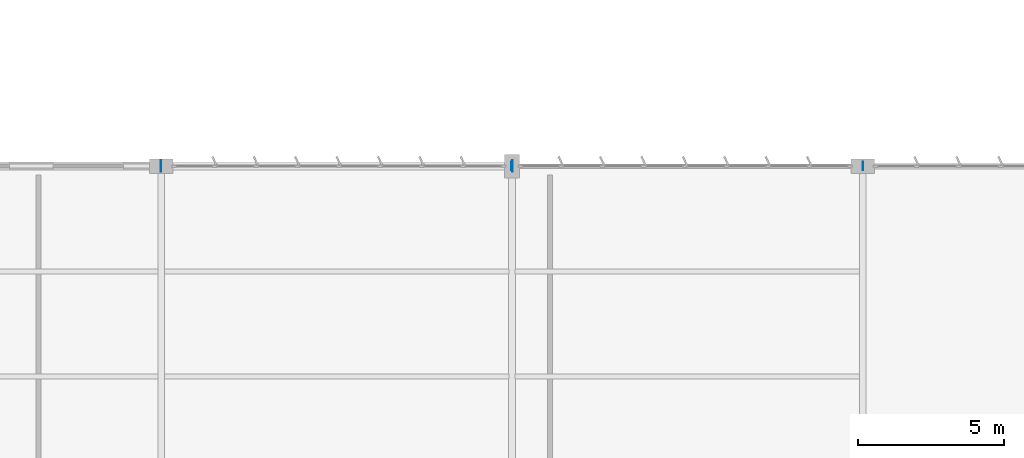
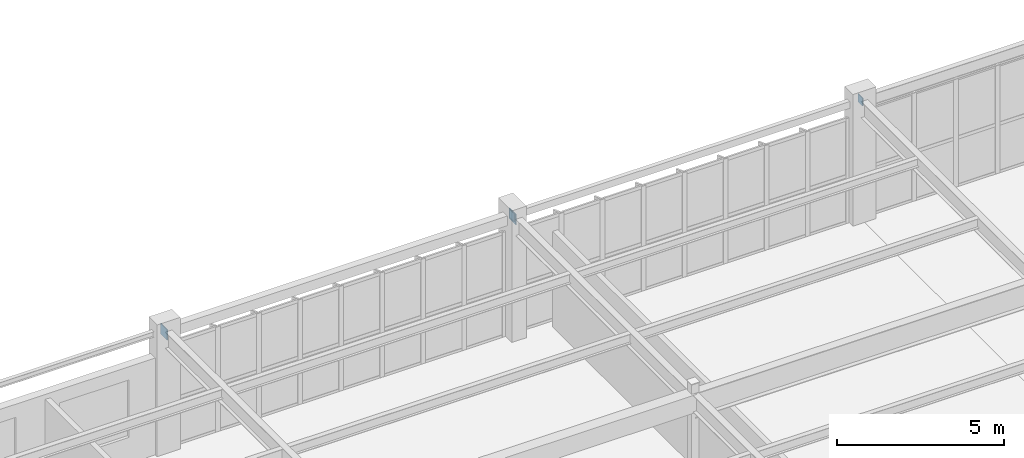
# One storey, part 154 of 199: 4 plates.
"""IFC4 building model written with IfcOpenShell, lengths in metres."""

import ifcopenshell
import ifcopenshell.guid

model = None  # the IFC model being written
_history = None  # IfcOwnerHistory: only IFC2X3 demands one
_inside = {}  # id of a spatial element -> (the spatial element, [elements in it])
_under = {}  # id of a project, library or spatial element -> (it, [spatial elements below it])
_declared = {}  # id of a project -> (the project, [libraries it declares])
_typed = {}  # id of a type object -> (the type object, [elements of that type])
_made_of = {}  # id of a material, layer set ... -> (it, [elements and type objects made of it])


def new_model(schema):
    """Start an empty IFC model of exactly this schema.

    Asked for "IFC4X3", IfcOpenShell would pick the latest addendum, in which some entities
    have other attributes; the version numbers below select the first issue.
    IFC2X3 requires an IfcOwnerHistory on every rooted entity: one is made here for all.
    """
    global model, _history
    if schema == "IFC4X3":
        model = ifcopenshell.file(schema_version=(4, 3, 0, 0))
    else:
        model = ifcopenshell.file(schema=schema)
    _inside.clear()
    _under.clear()
    _declared.clear()
    _typed.clear()
    _made_of.clear()
    _history = None
    if model.schema == "IFC2X3":
        org = make("IfcOrganization", Name="unknown")
        user = make(
            "IfcPersonAndOrganization",
            ThePerson=make("IfcPerson", FamilyName="unknown"),
            TheOrganization=org,
        )
        app = make(
            "IfcApplication",
            ApplicationDeveloper=org,
            Version="unknown",
            ApplicationFullName="unknown",
            ApplicationIdentifier="unknown",
        )
        _history = make(
            "IfcOwnerHistory",
            OwningUser=user,
            OwningApplication=app,
            ChangeAction="ADDED",
            CreationDate=0,
        )
    return model


def make(cls, **values):
    """One entity of the class cls with the attributes given. An attribute that is None is left unset."""
    return model.create_entity(
        cls, **{name: value for name, value in values.items() if value is not None}
    )


def rooted(cls, **values):
    """An entity with a GlobalId (a new one), such as an element, a storey or a relation."""
    return make(cls, GlobalId=ifcopenshell.guid.new(), OwnerHistory=_history, **values)


def si_unit(unit_type, name, prefix=None):
    """IfcSIUnit, for example si_unit("LENGTHUNIT", "METRE", prefix="MILLI")."""
    return make("IfcSIUnit", UnitType=unit_type, Prefix=prefix, Name=name)


def assignment(units):
    """IfcUnitAssignment: the units of a project."""
    return None if units is None else make("IfcUnitAssignment", Units=units)


def point(xyz):
    """IfcCartesianPoint."""
    return None if xyz is None else make("IfcCartesianPoint", Coordinates=xyz)


def direction(xyz):
    """IfcDirection."""
    return None if xyz is None else make("IfcDirection", DirectionRatios=xyz)


def frame(location, z_axis=None, x_axis=None):
    """IfcAxis2Placement3D, a coordinate frame: its origin and axes. An axis left out is left unset."""
    return make(
        "IfcAxis2Placement3D",
        Location=point(location),
        Axis=direction(z_axis),
        RefDirection=direction(x_axis),
    )


def frame_2d(location, x_axis=None):
    """IfcAxis2Placement2D, a coordinate frame in the plane: its origin and x axis."""
    return make(
        "IfcAxis2Placement2D", Location=point(location), RefDirection=direction(x_axis)
    )


def origin():
    """The frame at (0, 0, 0) with its axes left unset."""
    return frame((0.0, 0.0, 0.0))


def origin_2d():
    """The frame at (0, 0) in the plane with its x axis left unset."""
    return frame_2d((0.0, 0.0))


def place(relative_to, where):
    """IfcLocalPlacement: puts the frame where relative to a parent placement (None: the world)."""
    return make(
        "IfcLocalPlacement", PlacementRelTo=relative_to, RelativePlacement=where
    )


def context(
    kind, dimensions, precision=None, world=None, true_north=None, identifier=None
):
    """IfcGeometricRepresentationContext, for example the 3D "Model" context."""
    return make(
        "IfcGeometricRepresentationContext",
        ContextIdentifier=identifier,
        ContextType=kind,
        CoordinateSpaceDimension=dimensions,
        Precision=precision,
        WorldCoordinateSystem=world,
        TrueNorth=true_north,
    )


def subcontext(parent, identifier, kind, view, scale=None):
    """IfcGeometricRepresentationSubContext, for example "Body" below "Model"."""
    return make(
        "IfcGeometricRepresentationSubContext",
        ContextIdentifier=identifier,
        ContextType=kind,
        ParentContext=parent,
        TargetScale=scale,
        TargetView=view,
    )


def project(units=None, contexts=None):
    """IfcProject with its units and contexts."""
    return rooted(
        "IfcProject",
        Name="project",
        RepresentationContexts=contexts,
        UnitsInContext=assignment(units),
    )


def spatial(cls, under=None, at=None, **own):
    """A site, building, storey or space (cls), placed at a placement, below another one or the project."""
    s = rooted(cls, ObjectPlacement=at, **own)
    if under is not None:
        _under.setdefault(under.id(), (under, []))[1].append(s)
    return s


def profile(cls, at=None, kind="AREA", **sizes):
    """A parametric profile (cls). Its sizes go by their IFC names, for example OverallWidth=200.0."""
    return make(cls, ProfileType=kind, Position=at, **sizes)


def rectangle(**sizes):
    """IfcRectangleProfileDef."""
    return profile("IfcRectangleProfileDef", **sizes)


def extrude(swept, where, along, depth):
    """IfcExtrudedAreaSolid: the profile swept, set in the frame where, extruded along a direction by depth."""
    return make(
        "IfcExtrudedAreaSolid",
        SweptArea=swept,
        Position=where,
        ExtrudedDirection=direction(along),
        Depth=depth,
    )


def shape(context_of_items, identifier, shape_type, items):
    """IfcShapeRepresentation: the items that make up one representation, for example the "Body"."""
    return make(
        "IfcShapeRepresentation",
        ContextOfItems=context_of_items,
        RepresentationIdentifier=identifier,
        RepresentationType=shape_type,
        Items=items,
    )


def material(Name=None, Category=None):
    """IfcMaterial."""
    return make("IfcMaterial", Name=Name, Category=Category)


def layer(
    of_material, thickness, ventilated=None, Name=None, Category=None, Priority=None
):
    """IfcMaterialLayer: one layer of a wall or slab, of a material (None: an air gap)."""
    return make(
        "IfcMaterialLayer",
        Material=of_material,
        LayerThickness=thickness,
        IsVentilated=ventilated,
        Name=Name,
        Category=Category,
        Priority=Priority,
    )


def layer_set(layers, Name=None):
    """IfcMaterialLayerSet."""
    return make("IfcMaterialLayerSet", MaterialLayers=layers, LayerSetName=Name)


def made_of(thing, what):
    """Note that an element or type object is made of a material, layer set ...; save() writes the relation."""
    if what is not None:
        _made_of.setdefault(what.id(), (what, []))[1].append(thing)
    return thing


def type_object(cls, material=None, **own):
    """A type object (cls), such as IfcWallType, which elements share."""
    return made_of(rooted(cls, **own), material)


def element(
    cls,
    number,
    at=None,
    inside=None,
    cuts=None,
    type_object=None,
    material=None,
    context=None,
    identifier="Body",
    shape_type=None,
    held_by="IfcProductDefinitionShape",
    body=None,
    shapes=None,
    **own,
):
    """One element of the class cls, such as IfcWall. Its Tag is "e" and its number.

    at: its placement. inside: the storey or other place that contains it. cuts: it is an
    opening in that element (IfcRelVoidsElement). A single representation is given by context,
    identifier, shape_type and body (its items); several are given by shapes. held_by: the class
    of the entity that holds the representations. save() writes the other relations.
    """
    e = rooted(cls, Tag="e%d" % number, ObjectPlacement=at, **own)
    if body is not None:
        shapes = [shape(context, identifier, shape_type, body)]
    if shapes is not None:
        e.Representation = make(held_by, Representations=shapes)
    if inside is not None:
        _inside.setdefault(inside.id(), (inside, []))[1].append(e)
    if cuts is not None:
        rooted(
            "IfcRelVoidsElement", RelatingBuildingElement=cuts, RelatedOpeningElement=e
        )
    if type_object is not None:
        _typed.setdefault(type_object.id(), (type_object, []))[1].append(e)
    return made_of(e, material)


def aggregate(whole, parts):
    """IfcRelAggregates: a whole, such as a stair, and the parts it consists of."""
    return rooted("IfcRelAggregates", RelatingObject=whole, RelatedObjects=parts)


def save(model, path):
    """Write the relations noted so far, then the file.

    IfcRelAggregates (storeys below a building ...), IfcRelContainedInSpatialStructure (elements
    in a storey), IfcRelDefinesByType, IfcRelAssociatesMaterial and IfcRelDeclares: one each for
    every whole, place, type object, material and project.
    """
    for whole, parts in _under.values():
        aggregate(whole, parts)
    for where, things in _inside.values():
        rooted(
            "IfcRelContainedInSpatialStructure",
            RelatedElements=things,
            RelatingStructure=where,
        )
    for kind, things in _typed.values():
        rooted("IfcRelDefinesByType", RelatedObjects=things, RelatingType=kind)
    for what, things in _made_of.values():
        rooted("IfcRelAssociatesMaterial", RelatedObjects=things, RelatingMaterial=what)
    for by, libraries in _declared.values():
        rooted("IfcRelDeclares", RelatingContext=by, RelatedDefinitions=libraries)
    model.write(path)


model = new_model("IFC4")

# Units and contexts
model_context = context("Model", 3, precision=1e-05, world=origin(), true_north=direction((0.0, 1.0)))
body_context = subcontext(model_context, "Body", "Model", "MODEL_VIEW")
ifc_project = project(units=[si_unit("LENGTHUNIT", "METRE"), si_unit("AREAUNIT", "SQUARE_METRE"), si_unit("VOLUMEUNIT", "CUBIC_METRE"), si_unit("PLANEANGLEUNIT", "RADIAN"), si_unit("MASSUNIT", "GRAM", prefix="KILO")], contexts=[model_context])

# Site, building, storey
site_placement = place(None, origin())
site = spatial("IfcSite", under=ifc_project, at=site_placement, CompositionType="ELEMENT")
building_placement = place(site_placement, origin())
building = spatial("IfcBuilding", under=site, at=building_placement, Name="Tarnwether General Hospital", CompositionType="ELEMENT")
storey_placement = place(building_placement, origin())
storey = spatial("IfcBuildingStorey", under=building, at=storey_placement, Name="L00", CompositionType="ELEMENT", Elevation=0.0)

# Plates
ifc_material = material(Name="Steel Grade 350 (350 MPa)", Category="steel")
ifc_layer = layer(ifc_material, 0.02490234375)
ifc_layer_set = layer_set([ifc_layer], Name="Steel Grade 350 (350 MPa)")
plate_type = type_object("IfcPlateType", Name="PT-GUS2", PredefinedType="USERDEFINED", material=ifc_layer_set)
for number, where, z_axis, x_axis, name in (
    (1, (35.987548828125, 126.0, 4.0751953125), (0.0, 0.0, 1.0), (1.0, 0.0, 0.0), "Hollow Section Welded End Cap Plate 0873"),
    (2, (48.012451171875, 126.0, 4.0751953125), (0.0, 0.0, 1.0), (1.0, 0.0, 0.0), "Hollow Section Welded End Cap Plate 0874"),
):
    element("IfcPlate", number, at=place(storey_placement, frame(where, z_axis=z_axis, x_axis=x_axis)), inside=storey, type_object=plate_type, Name=name, ObjectType="GUSSET", PredefinedType="USERDEFINED", context=body_context, shape_type="SweptSolid", body=[
        extrude(rectangle(XDim=0.02490234375, YDim=0.389892578125, at=origin_2d()), origin(), (0.0, 0.0, 1.0), 0.389892578125),
    ])
for number, where, z_axis, x_axis, name in (
    (3, (47.987548828125, 126.0, 4.175048828125), (0.0, 0.0, 1.0), (1.0, 0.0, 0.0), "Hollow Section Welded End Cap Plate 0875"),
    (4, (60.012451171875, 126.0, 4.175048828125), (0.0, 0.0, 1.0), (1.0, 0.0, 0.0), "Hollow Section Welded End Cap Plate 0876"),
):
    element("IfcPlate", number, at=place(storey_placement, frame(where, z_axis=z_axis, x_axis=x_axis)), inside=storey, type_object=plate_type, Name=name, ObjectType="GUSSET", PredefinedType="USERDEFINED", context=body_context, shape_type="SweptSolid", body=[
        extrude(rectangle(XDim=0.02490234375, YDim=0.2900390625, at=origin_2d()), origin(), (0.0, 0.0, 1.0), 0.2900390625),
    ])

save(model, "model.ifc")
